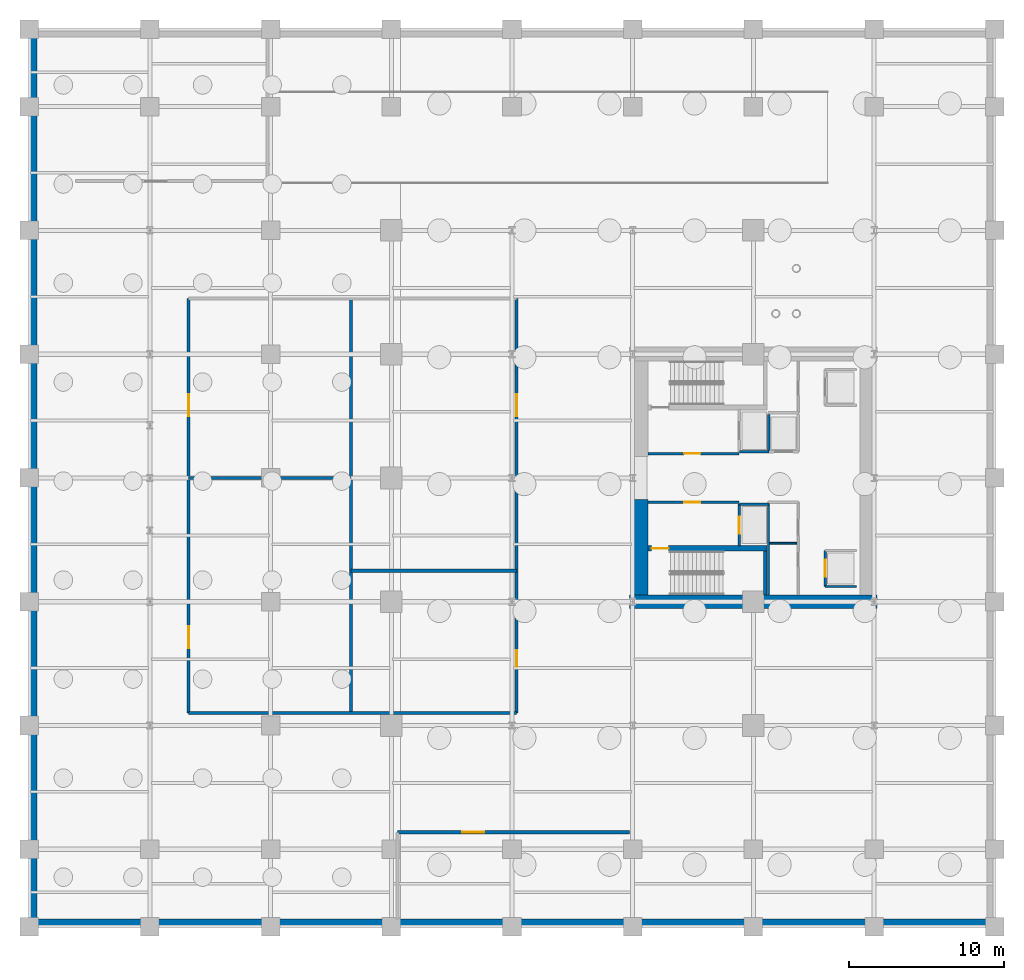
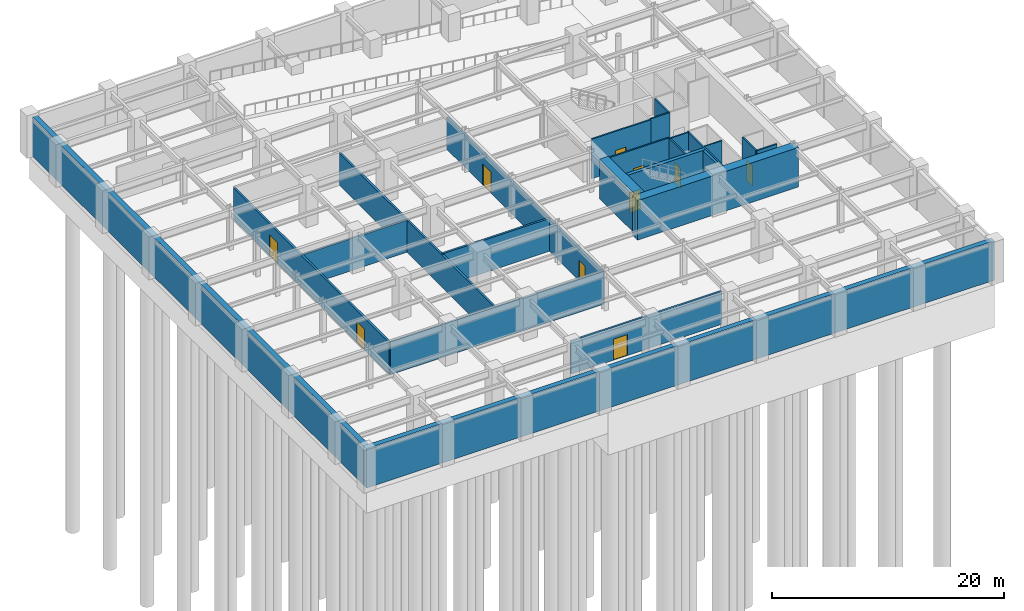
# One storey, part 5 of 10: 23 walls, 10 doors, 10 openings.
"""IFC4 building model written with IfcOpenShell, lengths in metres."""

import ifcopenshell
import ifcopenshell.guid

model = None  # the IFC model being written
_history = None  # IfcOwnerHistory: only IFC2X3 demands one
_inside = {}  # id of a spatial element -> (the spatial element, [elements in it])
_under = {}  # id of a project, library or spatial element -> (it, [spatial elements below it])
_declared = {}  # id of a project -> (the project, [libraries it declares])
_typed = {}  # id of a type object -> (the type object, [elements of that type])
_made_of = {}  # id of a material, layer set ... -> (it, [elements and type objects made of it])


def new_model(schema):
    """Start an empty IFC model of exactly this schema.

    Asked for "IFC4X3", IfcOpenShell would pick the latest addendum, in which some entities
    have other attributes; the version numbers below select the first issue.
    IFC2X3 requires an IfcOwnerHistory on every rooted entity: one is made here for all.
    """
    global model, _history
    if schema == "IFC4X3":
        model = ifcopenshell.file(schema_version=(4, 3, 0, 0))
    else:
        model = ifcopenshell.file(schema=schema)
    _inside.clear()
    _under.clear()
    _declared.clear()
    _typed.clear()
    _made_of.clear()
    _history = None
    if model.schema == "IFC2X3":
        org = make("IfcOrganization", Name="unknown")
        user = make(
            "IfcPersonAndOrganization",
            ThePerson=make("IfcPerson", FamilyName="unknown"),
            TheOrganization=org,
        )
        app = make(
            "IfcApplication",
            ApplicationDeveloper=org,
            Version="unknown",
            ApplicationFullName="unknown",
            ApplicationIdentifier="unknown",
        )
        _history = make(
            "IfcOwnerHistory",
            OwningUser=user,
            OwningApplication=app,
            ChangeAction="ADDED",
            CreationDate=0,
        )
    return model


def make(cls, **values):
    """One entity of the class cls with the attributes given. An attribute that is None is left unset."""
    return model.create_entity(
        cls, **{name: value for name, value in values.items() if value is not None}
    )


def rooted(cls, **values):
    """An entity with a GlobalId (a new one), such as an element, a storey or a relation."""
    return make(cls, GlobalId=ifcopenshell.guid.new(), OwnerHistory=_history, **values)


def si_unit(unit_type, name, prefix=None):
    """IfcSIUnit, for example si_unit("LENGTHUNIT", "METRE", prefix="MILLI")."""
    return make("IfcSIUnit", UnitType=unit_type, Prefix=prefix, Name=name)


def assignment(units):
    """IfcUnitAssignment: the units of a project."""
    return None if units is None else make("IfcUnitAssignment", Units=units)


def point(xyz):
    """IfcCartesianPoint."""
    return None if xyz is None else make("IfcCartesianPoint", Coordinates=xyz)


def direction(xyz):
    """IfcDirection."""
    return None if xyz is None else make("IfcDirection", DirectionRatios=xyz)


def frame(location, z_axis=None, x_axis=None):
    """IfcAxis2Placement3D, a coordinate frame: its origin and axes. An axis left out is left unset."""
    return make(
        "IfcAxis2Placement3D",
        Location=point(location),
        Axis=direction(z_axis),
        RefDirection=direction(x_axis),
    )


def frame_2d(location, x_axis=None):
    """IfcAxis2Placement2D, a coordinate frame in the plane: its origin and x axis."""
    return make(
        "IfcAxis2Placement2D", Location=point(location), RefDirection=direction(x_axis)
    )


def origin():
    """The frame at (0, 0, 0) with its axes left unset."""
    return frame((0.0, 0.0, 0.0))


def place(relative_to, where):
    """IfcLocalPlacement: puts the frame where relative to a parent placement (None: the world)."""
    return make(
        "IfcLocalPlacement", PlacementRelTo=relative_to, RelativePlacement=where
    )


def context(
    kind, dimensions, precision=None, world=None, true_north=None, identifier=None
):
    """IfcGeometricRepresentationContext, for example the 3D "Model" context."""
    return make(
        "IfcGeometricRepresentationContext",
        ContextIdentifier=identifier,
        ContextType=kind,
        CoordinateSpaceDimension=dimensions,
        Precision=precision,
        WorldCoordinateSystem=world,
        TrueNorth=true_north,
    )


def subcontext(parent, identifier, kind, view, scale=None):
    """IfcGeometricRepresentationSubContext, for example "Body" below "Model"."""
    return make(
        "IfcGeometricRepresentationSubContext",
        ContextIdentifier=identifier,
        ContextType=kind,
        ParentContext=parent,
        TargetScale=scale,
        TargetView=view,
    )


def project(units=None, contexts=None):
    """IfcProject with its units and contexts."""
    return rooted(
        "IfcProject",
        Name="project",
        RepresentationContexts=contexts,
        UnitsInContext=assignment(units),
    )


def spatial(cls, under=None, at=None, **own):
    """A site, building, storey or space (cls), placed at a placement, below another one or the project."""
    s = rooted(cls, ObjectPlacement=at, **own)
    if under is not None:
        _under.setdefault(under.id(), (under, []))[1].append(s)
    return s


def profile(cls, at=None, kind="AREA", **sizes):
    """A parametric profile (cls). Its sizes go by their IFC names, for example OverallWidth=200.0."""
    return make(cls, ProfileType=kind, Position=at, **sizes)


def rectangle(**sizes):
    """IfcRectangleProfileDef."""
    return profile("IfcRectangleProfileDef", **sizes)


def extrude(swept, where, along, depth):
    """IfcExtrudedAreaSolid: the profile swept, set in the frame where, extruded along a direction by depth."""
    return make(
        "IfcExtrudedAreaSolid",
        SweptArea=swept,
        Position=where,
        ExtrudedDirection=direction(along),
        Depth=depth,
    )


def shape(context_of_items, identifier, shape_type, items):
    """IfcShapeRepresentation: the items that make up one representation, for example the "Body"."""
    return make(
        "IfcShapeRepresentation",
        ContextOfItems=context_of_items,
        RepresentationIdentifier=identifier,
        RepresentationType=shape_type,
        Items=items,
    )


def material(Name=None, Category=None):
    """IfcMaterial."""
    return make("IfcMaterial", Name=Name, Category=Category)


def layer(
    of_material, thickness, ventilated=None, Name=None, Category=None, Priority=None
):
    """IfcMaterialLayer: one layer of a wall or slab, of a material (None: an air gap)."""
    return make(
        "IfcMaterialLayer",
        Material=of_material,
        LayerThickness=thickness,
        IsVentilated=ventilated,
        Name=Name,
        Category=Category,
        Priority=Priority,
    )


def layer_set(layers, Name=None):
    """IfcMaterialLayerSet."""
    return make("IfcMaterialLayerSet", MaterialLayers=layers, LayerSetName=Name)


def made_of(thing, what):
    """Note that an element or type object is made of a material, layer set ...; save() writes the relation."""
    if what is not None:
        _made_of.setdefault(what.id(), (what, []))[1].append(thing)
    return thing


def type_object(cls, material=None, **own):
    """A type object (cls), such as IfcWallType, which elements share."""
    return made_of(rooted(cls, **own), material)


def element(
    cls,
    number,
    at=None,
    inside=None,
    cuts=None,
    type_object=None,
    material=None,
    context=None,
    identifier="Body",
    shape_type=None,
    held_by="IfcProductDefinitionShape",
    body=None,
    shapes=None,
    **own,
):
    """One element of the class cls, such as IfcWall. Its Tag is "e" and its number.

    at: its placement. inside: the storey or other place that contains it. cuts: it is an
    opening in that element (IfcRelVoidsElement). A single representation is given by context,
    identifier, shape_type and body (its items); several are given by shapes. held_by: the class
    of the entity that holds the representations. save() writes the other relations.
    """
    e = rooted(cls, Tag="e%d" % number, ObjectPlacement=at, **own)
    if body is not None:
        shapes = [shape(context, identifier, shape_type, body)]
    if shapes is not None:
        e.Representation = make(held_by, Representations=shapes)
    if inside is not None:
        _inside.setdefault(inside.id(), (inside, []))[1].append(e)
    if cuts is not None:
        rooted(
            "IfcRelVoidsElement", RelatingBuildingElement=cuts, RelatedOpeningElement=e
        )
    if type_object is not None:
        _typed.setdefault(type_object.id(), (type_object, []))[1].append(e)
    return made_of(e, material)


def fill(opening, filler):
    """IfcRelFillsElement: the door or window that sits in an opening."""
    return rooted(
        "IfcRelFillsElement",
        RelatingOpeningElement=opening,
        RelatedBuildingElement=filler,
    )


def aggregate(whole, parts):
    """IfcRelAggregates: a whole, such as a stair, and the parts it consists of."""
    return rooted("IfcRelAggregates", RelatingObject=whole, RelatedObjects=parts)


def save(model, path):
    """Write the relations noted so far, then the file.

    IfcRelAggregates (storeys below a building ...), IfcRelContainedInSpatialStructure (elements
    in a storey), IfcRelDefinesByType, IfcRelAssociatesMaterial and IfcRelDeclares: one each for
    every whole, place, type object, material and project.
    """
    for whole, parts in _under.values():
        aggregate(whole, parts)
    for where, things in _inside.values():
        rooted(
            "IfcRelContainedInSpatialStructure",
            RelatedElements=things,
            RelatingStructure=where,
        )
    for kind, things in _typed.values():
        rooted("IfcRelDefinesByType", RelatedObjects=things, RelatingType=kind)
    for what, things in _made_of.values():
        rooted("IfcRelAssociatesMaterial", RelatedObjects=things, RelatingMaterial=what)
    for by, libraries in _declared.values():
        rooted("IfcRelDeclares", RelatingContext=by, RelatedDefinitions=libraries)
    model.write(path)


model = new_model("IFC4")

# Units and contexts
model_context = context("Model", 3, precision=1e-05, world=origin(), true_north=direction((0.0, 1.0)))
body_context = subcontext(model_context, "Body", "Model", "MODEL_VIEW")
ifc_project = project(units=[si_unit("LENGTHUNIT", "METRE"), si_unit("AREAUNIT", "SQUARE_METRE"), si_unit("VOLUMEUNIT", "CUBIC_METRE"), si_unit("PLANEANGLEUNIT", "RADIAN"), si_unit("MASSUNIT", "GRAM", prefix="KILO")], contexts=[model_context])

# Site, building, storey
site_placement = place(None, origin())
site = spatial("IfcSite", under=ifc_project, at=site_placement, CompositionType="ELEMENT")
building_placement = place(site_placement, origin())
building = spatial("IfcBuilding", under=site, at=building_placement, Name="Veymaron Broadcast Tower", CompositionType="ELEMENT")
storey_placement = place(building_placement, frame((0.0, 0.0, -9.0)))
storey = spatial("IfcBuildingStorey", under=building, at=storey_placement, Name="B2", CompositionType="ELEMENT", Elevation=-9.0)

# Wall, openings, doors
ifc_material_1 = material(Name="Concrete C40/50", Category="concrete")
ifc_layer_1 = layer(ifc_material_1, 0.199951171875)
ifc_layer_set_1 = layer_set([ifc_layer_1], Name="Concrete C40/50")
wall_type_1 = type_object("IfcWallType", Name="WALL-BLK-200", PredefinedType="SOLIDWALL", material=ifc_layer_set_1)
wall_1_placement = place(storey_placement, frame((10.300048828125, 8.800048828125, 0.0), z_axis=(0.0, 0.0, 1.0), x_axis=(0.0, 1.0, 0.0)))
wall_1 = element("IfcWall", 1, at=wall_1_placement, inside=storey, type_object=wall_type_1, Name="B2 partition IW-B2-PL-W", PredefinedType="SOLIDWALL", context=body_context, shape_type="SweptSolid", body=[
    extrude(rectangle(XDim=26.800048828125, YDim=0.199951171875, at=frame_2d((13.39990234375, 0.0))), origin(), (0.0, 0.0, 1.0), 3.367919921875),
])
opening_1_placement = place(wall_1_placement, frame((4.199951171875, 0.0, 0.0)))
opening_1 = element("IfcOpeningElement", 2, at=opening_1_placement, cuts=wall_1, Name="Opening ID-PL1", PredefinedType="OPENING", context=body_context, shape_type="SweptSolid", body=[
    extrude(rectangle(XDim=1.39990234375, YDim=2.199951171875, at=frame_2d((0.699951171875, 1.10009765625))), frame((0.0, 0.10986328125, 0.0), z_axis=(0.0, -1.0, 0.0), x_axis=(1.0, 0.0, 0.0)), (0.0, 0.0, 1.0), 0.219970703125),
])
opening_2_placement = place(wall_1_placement, frame((19.199951171875, 0.0, 0.0)))
opening_2 = element("IfcOpeningElement", 3, at=opening_2_placement, cuts=wall_1, Name="Opening ID-PL1", PredefinedType="OPENING", context=body_context, shape_type="SweptSolid", body=[
    extrude(rectangle(XDim=1.39990234375, YDim=2.199951171875, at=frame_2d((0.699951171875, 1.10009765625))), frame((0.0, 0.10986328125, 0.0), z_axis=(0.0, -1.0, 0.0), x_axis=(1.0, 0.0, 0.0)), (0.0, 0.0, 1.0), 0.219970703125),
])
ifc_material_2 = material(Name="Heavy-duty acoustic galvanized steel", Category="steel")
door_type_1 = type_object("IfcDoorType", Name="DOOR-PLANT-1400", OperationType="DOUBLE_DOOR_SINGLE_SWING", PredefinedType="DOOR", material=ifc_material_2)
door_1_placement = place(opening_1_placement, origin())
door_1 = element("IfcDoor", 4, at=door_1_placement, inside=storey, type_object=door_type_1, Name="B2 door DR-B2-MEP1", OperationType="SINGLE_SWING_LEFT", OverallHeight=2.199951171875, OverallWidth=1.39990234375, PredefinedType="DOOR", context=body_context, shape_type="SweptSolid", body=[
    extrude(rectangle(XDim=1.39990234375, YDim=2.199951171875, at=frame_2d((0.699951171875, 1.10009765625))), frame((0.0, 0.02490234375, 0.0), z_axis=(0.0, -1.0, 0.0), x_axis=(1.0, 0.0, 0.0)), (0.0, 0.0, 1.0), 0.050048828125),
])
fill(opening_1, door_1)
door_2_placement = place(opening_2_placement, origin())
door_2 = element("IfcDoor", 5, at=door_2_placement, inside=storey, type_object=door_type_1, Name="B2 door DR-B2-MEP2", OperationType="SINGLE_SWING_LEFT", OverallHeight=2.199951171875, OverallWidth=1.39990234375, PredefinedType="DOOR", context=body_context, shape_type="SweptSolid", body=[
    extrude(rectangle(XDim=1.39990234375, YDim=2.199951171875, at=frame_2d((0.699951171875, 1.10009765625))), frame((0.0, 0.02490234375, 0.0), z_axis=(0.0, -1.0, 0.0), x_axis=(1.0, 0.0, 0.0)), (0.0, 0.0, 1.0), 0.050048828125),
])
fill(opening_2, door_2)

wall_2_placement = place(storey_placement, frame((31.5, 8.800048828125, 0.0), z_axis=(0.0, 0.0, 1.0), x_axis=(0.0, 1.0, 0.0)))
wall_2 = element("IfcWall", 6, at=wall_2_placement, inside=storey, type_object=wall_type_1, Name="B2 partition IW-B2-PL-E", PredefinedType="SOLIDWALL", context=body_context, shape_type="SweptSolid", body=[
    extrude(rectangle(XDim=26.800048828125, YDim=0.199951171875, at=frame_2d((13.39990234375, 0.0))), origin(), (0.0, 0.0, 1.0), 3.367919921875),
])
opening_3_placement = place(wall_2_placement, frame((3.0, 0.0, 0.0)))
opening_3 = element("IfcOpeningElement", 7, at=opening_3_placement, cuts=wall_2, Name="Opening ID-FL1", PredefinedType="OPENING", context=body_context, shape_type="SweptSolid", body=[
    extrude(rectangle(XDim=1.050048828125, YDim=2.14990234375, at=frame_2d((0.52490234375, 1.074951171875))), frame((0.0, 0.10986328125, 0.0), z_axis=(0.0, -1.0, 0.0), x_axis=(1.0, 0.0, 0.0)), (0.0, 0.0, 1.0), 0.219970703125),
])
opening_4_placement = place(wall_2_placement, frame((19.199951171875, 0.0, 0.0)))
opening_4 = element("IfcOpeningElement", 8, at=opening_4_placement, cuts=wall_2, Name="Opening ID-PL1", PredefinedType="OPENING", context=body_context, shape_type="SweptSolid", body=[
    extrude(rectangle(XDim=1.39990234375, YDim=2.199951171875, at=frame_2d((0.699951171875, 1.10009765625))), frame((0.0, 0.10986328125, 0.0), z_axis=(0.0, -1.0, 0.0), x_axis=(1.0, 0.0, 0.0)), (0.0, 0.0, 1.0), 0.219970703125),
])
ifc_material_3 = material(Name="Fire-rated painted hollow steel ASTM A653", Category="steel")
door_type_2 = type_object("IfcDoorType", Name="DOOR-FIRE-1050", OperationType="NOTDEFINED", PredefinedType="DOOR", material=ifc_material_3)
door_3_placement = place(opening_3_placement, frame((1.050048828125, 0.0, 0.0), z_axis=(0.0, 0.0, 1.0), x_axis=(-1.0, 0.0, 0.0)))
door_3 = element("IfcDoor", 9, at=door_3_placement, inside=storey, type_object=door_type_2, Name="B2 door DR-B2-BICY", OperationType="SINGLE_SWING_LEFT", OverallHeight=2.14990234375, OverallWidth=1.050048828125, PredefinedType="DOOR", context=body_context, shape_type="SweptSolid", body=[
    extrude(rectangle(XDim=1.050048828125, YDim=2.14990234375, at=frame_2d((0.52490234375, 1.074951171875))), frame((0.0, 0.02490234375, 0.0), z_axis=(0.0, -1.0, 0.0), x_axis=(1.0, 0.0, 0.0)), (0.0, 0.0, 1.0), 0.050048828125),
])
fill(opening_3, door_3)
door_4_placement = place(opening_4_placement, frame((1.39990234375, 0.0, 0.0), z_axis=(0.0, 0.0, 1.0), x_axis=(-1.0, 0.0, 0.0)))
door_4 = element("IfcDoor", 10, at=door_4_placement, inside=storey, type_object=door_type_1, Name="B2 door DR-B2-TANK", OperationType="SINGLE_SWING_LEFT", OverallHeight=2.199951171875, OverallWidth=1.39990234375, PredefinedType="DOOR", context=body_context, shape_type="SweptSolid", body=[
    extrude(rectangle(XDim=1.39990234375, YDim=2.199951171875, at=frame_2d((0.699951171875, 1.10009765625))), frame((0.0, 0.02490234375, 0.0), z_axis=(0.0, -1.0, 0.0), x_axis=(1.0, 0.0, 0.0)), (0.0, 0.0, 1.0), 0.050048828125),
])
fill(opening_4, door_4)

# Walls
wall_3_placement = place(storey_placement, frame((20.800048828125, 8.800048828125, 0.0), z_axis=(0.0, 0.0, 1.0), x_axis=(0.0, 1.0, 0.0)))
element("IfcWall", 11, at=wall_3_placement, inside=storey, type_object=wall_type_1, Name="B2 partition IW-B2-PL-M", PredefinedType="SOLIDWALL", context=body_context, shape_type="SweptSolid", body=[
    extrude(rectangle(XDim=26.800048828125, YDim=0.199951171875, at=frame_2d((13.39990234375, 0.0))), origin(), (0.0, 0.0, 1.0), 3.367919921875),
])
wall_4_placement = place(storey_placement, frame((10.300048828125, 8.800048828125, 0.0), z_axis=(0.0, 0.0, 1.0), x_axis=(1.0, 0.0, 0.0)))
element("IfcWall", 12, at=wall_4_placement, inside=storey, type_object=wall_type_1, Name="B2 partition IW-B2-PL-S", PredefinedType="SOLIDWALL", context=body_context, shape_type="SweptSolid", body=[
    extrude(rectangle(XDim=21.199951171875, YDim=0.199951171875, at=frame_2d((10.60009765625, 0.0))), origin(), (0.0, 0.0, 1.0), 3.445068359375),
])
wall_5_placement = place(storey_placement, frame((10.300048828125, 24.0, 0.0), z_axis=(0.0, 0.0, 1.0), x_axis=(1.0, 0.0, 0.0)))
element("IfcWall", 13, at=wall_5_placement, inside=storey, type_object=wall_type_1, Name="B2 partition IW-B2-PL-H1", PredefinedType="SOLIDWALL", context=body_context, shape_type="SweptSolid", body=[
    extrude(rectangle(XDim=10.5, YDim=0.199951171875, at=frame_2d((5.25, 0.0))), origin(), (0.0, 0.0, 1.0), 3.367919921875),
])
wall_6_placement = place(storey_placement, frame((20.800048828125, 18.0, 0.0), z_axis=(0.0, 0.0, 1.0), x_axis=(1.0, 0.0, 0.0)))
element("IfcWall", 14, at=wall_6_placement, inside=storey, type_object=wall_type_1, Name="B2 partition IW-B2-PL-H2", PredefinedType="SOLIDWALL", context=body_context, shape_type="SweptSolid", body=[
    extrude(rectangle(XDim=10.699951171875, YDim=0.199951171875, at=frame_2d((5.35009765625, 0.0))), origin(), (0.0, 0.0, 1.0), 3.445068359375),
])

# Wall, opening, door
wall_7_placement = place(storey_placement, frame((23.800048828125, 1.10009765625, 0.0), z_axis=(0.0, 0.0, 1.0), x_axis=(1.0, 0.0, 0.0)))
wall_7 = element("IfcWall", 15, at=wall_7_placement, inside=storey, type_object=wall_type_1, Name="B2 partition IW-B2-VS-N", PredefinedType="SOLIDWALL", context=body_context, shape_type="SweptSolid", body=[
    extrude(rectangle(XDim=15.0, YDim=0.199951171875, at=frame_2d((7.5, 0.0))), origin(), (0.0, 0.0, 1.0), 3.445068359375),
])
opening_5_placement = place(wall_7_placement, frame((4.199951171875, 0.0, 0.0)))
opening_5 = element("IfcOpeningElement", 16, at=opening_5_placement, cuts=wall_7, Name="Opening ID-PL1", PredefinedType="OPENING", context=body_context, shape_type="SweptSolid", body=[
    extrude(rectangle(XDim=1.39990234375, YDim=2.199951171875, at=frame_2d((0.699951171875, 1.10009765625))), frame((0.0, 0.10986328125, 0.0), z_axis=(0.0, -1.0, 0.0), x_axis=(1.0, 0.0, 0.0)), (0.0, 0.0, 1.0), 0.219970703125),
])
door_5_placement = place(opening_5_placement, frame((1.39990234375, 0.0, 0.0), z_axis=(0.0, 0.0, 1.0), x_axis=(-1.0, 0.0, 0.0)))
door_5 = element("IfcDoor", 17, at=door_5_placement, inside=storey, type_object=door_type_1, Name="B2 door DR-B2-VS", OperationType="SINGLE_SWING_LEFT", OverallHeight=2.199951171875, OverallWidth=1.39990234375, PredefinedType="DOOR", context=body_context, shape_type="SweptSolid", body=[
    extrude(rectangle(XDim=1.39990234375, YDim=2.199951171875, at=frame_2d((0.699951171875, 1.10009765625))), frame((0.0, 0.02490234375, 0.0), z_axis=(0.0, -1.0, 0.0), x_axis=(1.0, 0.0, 0.0)), (0.0, 0.0, 1.0), 0.050048828125),
])
fill(opening_5, door_5)

ifc_material_4 = material(Name="Gypsum fireboard and steel stud framing", Category="steel")
ifc_layer_2 = layer(ifc_material_4, 0.14990234375)
ifc_layer_set_2 = layer_set([ifc_layer_2], Name="Gypsum fireboard and steel stud framing")
wall_type_2 = type_object("IfcWallType", Name="WALL-FIRE-150", PredefinedType="PARTITIONING", material=ifc_layer_set_2)
wall_8_placement = place(storey_placement, frame((39.97998046875, 25.574951171875, 0.0), z_axis=(0.0, 0.0, 1.0), x_axis=(1.0, 0.0, 0.0)))
wall_8 = element("IfcWall", 18, at=wall_8_placement, inside=storey, type_object=wall_type_2, Name="B2 partition IW-B2-FFLN-S", PredefinedType="PARTITIONING", context=body_context, shape_type="SweptSolid", body=[
    extrude(rectangle(XDim=5.89990234375, YDim=0.14990234375, at=frame_2d((2.949951171875, 0.0))), origin(), (0.0, 0.0, 1.0), 4.14990234375),
])
opening_6_placement = place(wall_8_placement, frame((2.35009765625, 0.0, 0.0)))
opening_6 = element("IfcOpeningElement", 19, at=opening_6_placement, cuts=wall_8, Name="Opening ID-FL1", PredefinedType="OPENING", context=body_context, shape_type="SweptSolid", body=[
    extrude(rectangle(XDim=1.050048828125, YDim=2.14990234375, at=frame_2d((0.52490234375, 1.074951171875))), frame((0.0, 0.0849609375, 0.0), z_axis=(0.0, -1.0, 0.0), x_axis=(1.0, 0.0, 0.0)), (0.0, 0.0, 1.0), 0.169921875),
])
door_6_placement = place(opening_6_placement, origin())
door_6 = element("IfcDoor", 20, at=door_6_placement, inside=storey, type_object=door_type_2, Name="B2 door DR-B2-FFLN", OperationType="SINGLE_SWING_LEFT", OverallHeight=2.14990234375, OverallWidth=1.050048828125, PredefinedType="DOOR", context=body_context, shape_type="SweptSolid", body=[
    extrude(rectangle(XDim=1.050048828125, YDim=2.14990234375, at=frame_2d((0.52490234375, 1.074951171875))), frame((0.0, 0.02490234375, 0.0), z_axis=(0.0, -1.0, 0.0), x_axis=(1.0, 0.0, 0.0)), (0.0, 0.0, 1.0), 0.050048828125),
])
fill(opening_6, door_6)

wall_9_placement = place(storey_placement, frame((39.97998046875, 22.425048828125, 0.0), z_axis=(0.0, 0.0, 1.0), x_axis=(1.0, 0.0, 0.0)))
wall_9 = element("IfcWall", 21, at=wall_9_placement, inside=storey, type_object=wall_type_2, Name="B2 partition IW-B2-FFLS-N", PredefinedType="PARTITIONING", context=body_context, shape_type="SweptSolid", body=[
    extrude(rectangle(XDim=5.89990234375, YDim=0.14990234375, at=frame_2d((2.949951171875, 0.0))), origin(), (0.0, 0.0, 1.0), 4.14990234375),
])
opening_7_placement = place(wall_9_placement, frame((2.35009765625, 0.0, 0.0)))
opening_7 = element("IfcOpeningElement", 22, at=opening_7_placement, cuts=wall_9, Name="Opening ID-FL1", PredefinedType="OPENING", context=body_context, shape_type="SweptSolid", body=[
    extrude(rectangle(XDim=1.050048828125, YDim=2.14990234375, at=frame_2d((0.52490234375, 1.074951171875))), frame((0.0, 0.0849609375, 0.0), z_axis=(0.0, -1.0, 0.0), x_axis=(1.0, 0.0, 0.0)), (0.0, 0.0, 1.0), 0.169921875),
])
door_7_placement = place(opening_7_placement, frame((1.050048828125, 0.0, 0.0), z_axis=(0.0, 0.0, 1.0), x_axis=(-1.0, 0.0, 0.0)))
door_7 = element("IfcDoor", 23, at=door_7_placement, inside=storey, type_object=door_type_2, Name="B2 door DR-B2-FFLS", OperationType="SINGLE_SWING_RIGHT", OverallHeight=2.14990234375, OverallWidth=1.050048828125, PredefinedType="DOOR", context=body_context, shape_type="SweptSolid", body=[
    extrude(rectangle(XDim=1.050048828125, YDim=2.14990234375, at=frame_2d((0.52490234375, 1.074951171875))), frame((0.0, 0.02490234375, 0.0), z_axis=(0.0, -1.0, 0.0), x_axis=(1.0, 0.0, 0.0)), (0.0, 0.0, 1.0), 0.050048828125),
])
fill(opening_7, door_7)

# Wall
wall_10_placement = place(storey_placement, frame((45.89501953125, 25.68994140625, 0.0), z_axis=(0.0, 0.0, 1.0), x_axis=(1.0, 0.0, 0.0)))
element("IfcWall", 24, at=wall_10_placement, inside=storey, type_object=wall_type_2, Name="B2 partition IW-B2-SHS-FFL-1", PredefinedType="PARTITIONING", context=body_context, shape_type="SweptSolid", body=[
    extrude(rectangle(XDim=1.9150390625, YDim=0.14990234375, at=frame_2d((0.95751953125, 0.0))), origin(), (0.0, 0.0, 1.0), 4.14990234375),
])

# Wall, opening, door
wall_11_placement = place(storey_placement, frame((45.89501953125, 19.590087890625, 0.0), z_axis=(0.0, 0.0, 1.0), x_axis=(0.0, 1.0, 0.0)))
wall_11 = element("IfcWall", 25, at=wall_11_placement, inside=storey, type_object=wall_type_2, Name="B2 partition IW-B2-SHW-FFL-2", PredefinedType="PARTITIONING", context=body_context, shape_type="SweptSolid", body=[
    extrude(rectangle(XDim=2.719970703125, YDim=0.14990234375, at=frame_2d((1.35986328125, 0.0))), origin(), (0.0, 0.0, 1.0), 4.14990234375),
])
opening_8_placement = place(wall_11_placement, frame((0.81005859375, 0.0, 0.0)))
opening_8 = element("IfcOpeningElement", 26, at=opening_8_placement, cuts=wall_11, Name="Opening LD", PredefinedType="OPENING", context=body_context, shape_type="SweptSolid", body=[
    extrude(rectangle(XDim=1.10009765625, YDim=2.14990234375, at=frame_2d((0.550048828125, 1.074951171875))), frame((0.0, 0.0849609375, 0.0), z_axis=(0.0, -1.0, 0.0), x_axis=(1.0, 0.0, 0.0)), (0.0, 0.0, 1.0), 0.169921875),
])
ifc_material_5 = material(Name="Brushed stainless steel AISI 304", Category="steel")
door_type_3 = type_object("IfcDoorType", Name="DOOR-LIFT-1100", OperationType="DOUBLE_DOOR_SLIDING", PredefinedType="DOOR", material=ifc_material_5)
door_8_placement = place(opening_8_placement, frame((1.10009765625, 0.0, 0.0), z_axis=(0.0, 0.0, 1.0), x_axis=(-1.0, 0.0, 0.0)))
door_8 = element("IfcDoor", 27, at=door_8_placement, inside=storey, type_object=door_type_3, Name="B2 door LD-B2-FFL-2", OperationType="DOUBLE_DOOR_SLIDING", OverallHeight=2.14990234375, OverallWidth=1.10009765625, PredefinedType="DOOR", context=body_context, shape_type="SweptSolid", body=[
    extrude(rectangle(XDim=1.10009765625, YDim=2.14990234375, at=frame_2d((0.550048828125, 1.074951171875))), frame((0.0, 0.02490234375, 0.0), z_axis=(0.0, -1.0, 0.0), x_axis=(1.0, 0.0, 0.0)), (0.0, 0.0, 1.0), 0.050048828125),
])
fill(opening_8, door_8)

# Walls
wall_12_placement = place(storey_placement, frame((45.89501953125, 22.31005859375, 0.0), z_axis=(0.0, 0.0, 1.0), x_axis=(1.0, 0.0, 0.0)))
element("IfcWall", 28, at=wall_12_placement, inside=storey, type_object=wall_type_2, Name="B2 partition IW-B2-SHN-FFL-2", PredefinedType="PARTITIONING", context=body_context, shape_type="SweptSolid", body=[
    extrude(rectangle(XDim=1.9150390625, YDim=0.14990234375, at=frame_2d((0.95751953125, 0.0))), origin(), (0.0, 0.0, 1.0), 4.14990234375),
])
wall_13_placement = place(storey_placement, frame((47.7900390625, 25.695068359375, 0.0), z_axis=(0.0, 0.0, 1.0), x_axis=(0.0, 1.0, 0.0)))
element("IfcWall", 29, at=wall_13_placement, inside=storey, type_object=wall_type_2, Name="B2 partition IW-B2-SHW-SL-1", PredefinedType="PARTITIONING", context=body_context, shape_type="SweptSolid", body=[
    extrude(rectangle(XDim=2.4150390625, YDim=0.14990234375, at=frame_2d((1.20751953125, 0.0))), origin(), (0.0, 0.0, 1.0), 4.14990234375),
])

# Wall, opening, door
wall_14_placement = place(storey_placement, frame((51.445068359375, 16.989990234375, 0.0), z_axis=(0.0, 0.0, 1.0), x_axis=(0.0, 1.0, 0.0)))
wall_14 = element("IfcWall", 30, at=wall_14_placement, inside=storey, type_object=wall_type_2, Name="B2 partition IW-B2-SHW-PH1", PredefinedType="PARTITIONING", context=body_context, shape_type="SweptSolid", body=[
    extrude(rectangle(XDim=2.320068359375, YDim=0.14990234375, at=frame_2d((1.16015625, 0.0))), origin(), (0.0, 0.0, 1.0), 4.14990234375),
])
opening_9_placement = place(wall_14_placement, frame((0.610107421875, 0.0, 0.0)))
opening_9 = element("IfcOpeningElement", 31, at=opening_9_placement, cuts=wall_14, Name="Opening LD", PredefinedType="OPENING", context=body_context, shape_type="SweptSolid", body=[
    extrude(rectangle(XDim=1.10009765625, YDim=2.14990234375, at=frame_2d((0.550048828125, 1.074951171875))), frame((0.0, 0.0849609375, 0.0), z_axis=(0.0, -1.0, 0.0), x_axis=(1.0, 0.0, 0.0)), (0.0, 0.0, 1.0), 0.169921875),
])
door_9_placement = place(opening_9_placement, frame((1.10009765625, 0.0, 0.0), z_axis=(0.0, 0.0, 1.0), x_axis=(-1.0, 0.0, 0.0)))
door_9 = element("IfcDoor", 32, at=door_9_placement, inside=storey, type_object=door_type_3, Name="B2 door LD-B2-PH1", OperationType="DOUBLE_DOOR_SLIDING", OverallHeight=2.14990234375, OverallWidth=1.10009765625, PredefinedType="DOOR", context=body_context, shape_type="SweptSolid", body=[
    extrude(rectangle(XDim=1.10009765625, YDim=2.14990234375, at=frame_2d((0.550048828125, 1.074951171875))), frame((0.0, 0.02490234375, 0.0), z_axis=(0.0, -1.0, 0.0), x_axis=(1.0, 0.0, 0.0)), (0.0, 0.0, 1.0), 0.050048828125),
])
fill(opening_9, door_9)

# Walls
wall_15_placement = place(storey_placement, frame((51.445068359375, 16.989990234375, 0.0), z_axis=(0.0, 0.0, 1.0), x_axis=(1.0, 0.0, 0.0)))
element("IfcWall", 33, at=wall_15_placement, inside=storey, type_object=wall_type_2, Name="B2 partition IW-B2-SHS-PH1", PredefinedType="PARTITIONING", context=body_context, shape_type="SweptSolid", body=[
    extrude(rectangle(XDim=2.014892578125, YDim=0.14990234375, at=frame_2d((1.00732421875, 0.0))), origin(), (0.0, 0.0, 1.0), 4.14990234375),
])
wall_16_placement = place(storey_placement, frame((47.780029296875, 16.449951171875, 0.0), z_axis=(0.0, 0.0, 1.0), x_axis=(0.0, 1.0, 0.0)))
element("IfcWall", 34, at=wall_16_placement, inside=storey, type_object=wall_type_2, Name="B2 partition IW-B2-SM-W", PredefinedType="PARTITIONING", context=body_context, shape_type="SweptSolid", body=[
    extrude(rectangle(XDim=5.97509765625, YDim=0.14990234375, at=frame_2d((2.987548828125, 0.0))), origin(), (0.0, 0.0, 1.0), 4.14990234375),
])
ifc_material_6 = material(Name="Acoustic gypsum board and galvanized stud", Category="gypsum")
ifc_layer_3 = layer(ifc_material_6, 0.1201171875)
ifc_layer_set_3 = layer_set([ifc_layer_3], Name="Acoustic gypsum board and galvanized stud")
wall_type_3 = type_object("IfcWallType", Name="WALL-PART-120", PredefinedType="PARTITIONING", material=ifc_layer_set_3)
wall_17_placement = place(storey_placement, frame((47.860107421875, 19.780029296875, 0.0), z_axis=(0.0, 0.0, 1.0), x_axis=(1.0, 0.0, 0.0)))
element("IfcWall", 35, at=wall_17_placement, inside=storey, type_object=wall_type_3, Name="B2 partition IW-B2-SM-DIV", PredefinedType="PARTITIONING", context=body_context, shape_type="SweptSolid", body=[
    extrude(rectangle(XDim=1.760009765625, YDim=0.1201171875, at=frame_2d((0.8798828125, 0.0))), origin(), (0.0, 0.0, 1.0), 4.14990234375),
])
ifc_material_7 = material(Name="Concrete C50/60", Category="concrete")
ifc_layer_4 = layer(ifc_material_7, 0.5)
ifc_layer_set_4 = layer_set([ifc_layer_4], Name="Concrete C50/60")
wall_type_4 = type_object("IfcWallType", Name="WALL-RET-500", PredefinedType="USERDEFINED", material=ifc_layer_set_4)
wall_18_placement = place(storey_placement, frame((0.0, -4.75, 0.0), z_axis=(0.0, 0.0, 1.0), x_axis=(1.0, 0.0, 0.0)))
element("IfcWall", 36, at=wall_18_placement, inside=storey, type_object=wall_type_4, Name="B2 retaining wall S", ObjectType="RETAININGWALL", PredefinedType="USERDEFINED", context=body_context, shape_type="SweptSolid", body=[
    extrude(rectangle(XDim=62.39990234375, YDim=0.5, at=frame_2d((31.199951171875, 0.0))), origin(), (0.0, 0.0, 1.0), 4.14990234375),
])
wall_19_placement = place(storey_placement, frame((0.25, 52.5, 0.0), z_axis=(0.0, 0.0, 1.0), x_axis=(0.0, -1.0, 0.0)))
element("IfcWall", 37, at=wall_19_placement, inside=storey, type_object=wall_type_4, Name="B2 retaining wall W", ObjectType="RETAININGWALL", PredefinedType="USERDEFINED", context=body_context, shape_type="SweptSolid", body=[
    extrude(rectangle(XDim=57.0, YDim=0.5, at=frame_2d((28.5, 0.0))), origin(), (0.0, 0.0, 1.0), 4.14990234375),
])
ifc_layer_5 = layer(ifc_material_7, 0.25)
ifc_layer_set_5 = layer_set([ifc_layer_5], Name="Concrete C50/60")
wall_type_5 = type_object("IfcWallType", Name="WALL-SHEAR-250", PredefinedType="SHEAR", material=ifc_layer_set_5)
wall_20_placement = place(storey_placement, frame((47.56494140625, 16.449951171875, 0.0), z_axis=(0.0, 0.0, 1.0), x_axis=(0.0, 1.0, 0.0)))
element("IfcWall", 38, at=wall_20_placement, inside=storey, type_object=wall_type_5, Name="B2 Core Wall south stair east shear", PredefinedType="SHEAR", context=body_context, shape_type="SweptSolid", body=[
    extrude(rectangle(XDim=2.820068359375, YDim=0.25, at=frame_2d((1.41015625, 0.0))), origin(), (0.0, 0.0, 1.0), 4.14990234375),
])

# Wall, opening, door
ifc_layer_6 = layer(ifc_material_7, 0.35009765625)
ifc_layer_set_6 = layer_set([ifc_layer_6], Name="Concrete C50/60")
wall_type_6 = type_object("IfcWallType", Name="WALL-SHEAR-350", PredefinedType="SHEAR", material=ifc_layer_set_6)
wall_21_placement = place(storey_placement, frame((39.97998046875, 19.445068359375, 0.0), z_axis=(0.0, 0.0, 1.0), x_axis=(1.0, 0.0, 0.0)))
wall_21 = element("IfcWall", 39, at=wall_21_placement, inside=storey, type_object=wall_type_6, Name="B2 Core Wall south stair spine", PredefinedType="SHEAR", context=body_context, shape_type="SweptSolid", body=[
    extrude(rectangle(XDim=7.7099609375, YDim=0.35009765625, at=frame_2d((3.85498046875, 0.0))), origin(), (0.0, 0.0, 1.0), 4.14990234375),
])
opening_10_placement = place(wall_21_placement, frame((0.25, 0.0, 0.0)))
opening_10 = element("IfcOpeningElement", 40, at=opening_10_placement, cuts=wall_21, Name="Opening ID-ST1", PredefinedType="OPENING", context=body_context, shape_type="SweptSolid", body=[
    extrude(rectangle(XDim=1.10009765625, YDim=2.14990234375, at=frame_2d((0.550048828125, 1.074951171875))), frame((0.0, 0.18505859375, 0.0), z_axis=(0.0, -1.0, 0.0), x_axis=(1.0, 0.0, 0.0)), (0.0, 0.0, 1.0), 0.3701171875),
])
door_type_4 = type_object("IfcDoorType", Name="DOOR-STAIR-1100", OperationType="NOTDEFINED", PredefinedType="DOOR", material=ifc_material_3)
door_10_placement = place(opening_10_placement, frame((1.10009765625, 0.0, 0.0), z_axis=(0.0, 0.0, 1.0), x_axis=(-1.0, 0.0, 0.0)))
door_10 = element("IfcDoor", 41, at=door_10_placement, inside=storey, type_object=door_type_4, Name="B2 exit stair ST2 fire door", OperationType="SINGLE_SWING_RIGHT", OverallHeight=2.14990234375, OverallWidth=1.10009765625, PredefinedType="DOOR", context=body_context, shape_type="SweptSolid", body=[
    extrude(rectangle(XDim=1.10009765625, YDim=2.14990234375, at=frame_2d((0.550048828125, 1.074951171875))), frame((0.0, 0.02490234375, 0.0), z_axis=(0.0, -1.0, 0.0), x_axis=(1.0, 0.0, 0.0)), (0.0, 0.0, 1.0), 0.050048828125),
])
fill(opening_10, door_10)

# Walls
ifc_material_8 = material(Name="Concrete C70/85", Category="concrete")
ifc_layer_7 = layer(ifc_material_8, 0.89990234375)
ifc_layer_set_7 = layer_set([ifc_layer_7], Name="Concrete C70/85")
wall_type_7 = type_object("IfcWallType", Name="WALL-SHEAR-900", PredefinedType="SHEAR", material=ifc_layer_set_7)
wall_22_placement = place(storey_placement, frame((38.800048828125, 16.0, 0.0), z_axis=(0.0, 0.0, 1.0), x_axis=(1.0, 0.0, 0.0)))
element("IfcWall", 42, at=wall_22_placement, inside=storey, type_object=wall_type_7, Name="B2 Core Wall south shear", PredefinedType="SHEAR", context=body_context, shape_type="SweptSolid", body=[
    extrude(rectangle(XDim=16.0, YDim=0.89990234375, at=frame_2d((8.0, 0.0))), origin(), (0.0, 0.0, 1.0), 4.14990234375),
])
wall_23_placement = place(storey_placement, frame((39.530029296875, 16.449951171875, 0.0), z_axis=(0.0, 0.0, 1.0), x_axis=(0.0, 1.0, 0.0)))
element("IfcWall", 43, at=wall_23_placement, inside=storey, type_object=wall_type_7, Name="B2 Core Wall west-south shear", PredefinedType="SHEAR", context=body_context, shape_type="SweptSolid", body=[
    extrude(rectangle(XDim=6.150146484375, YDim=0.89990234375, at=frame_2d((3.0751953125, 0.0))), origin(), (0.0, 0.0, 1.0), 4.14990234375),
])

save(model, "model.ifc")
